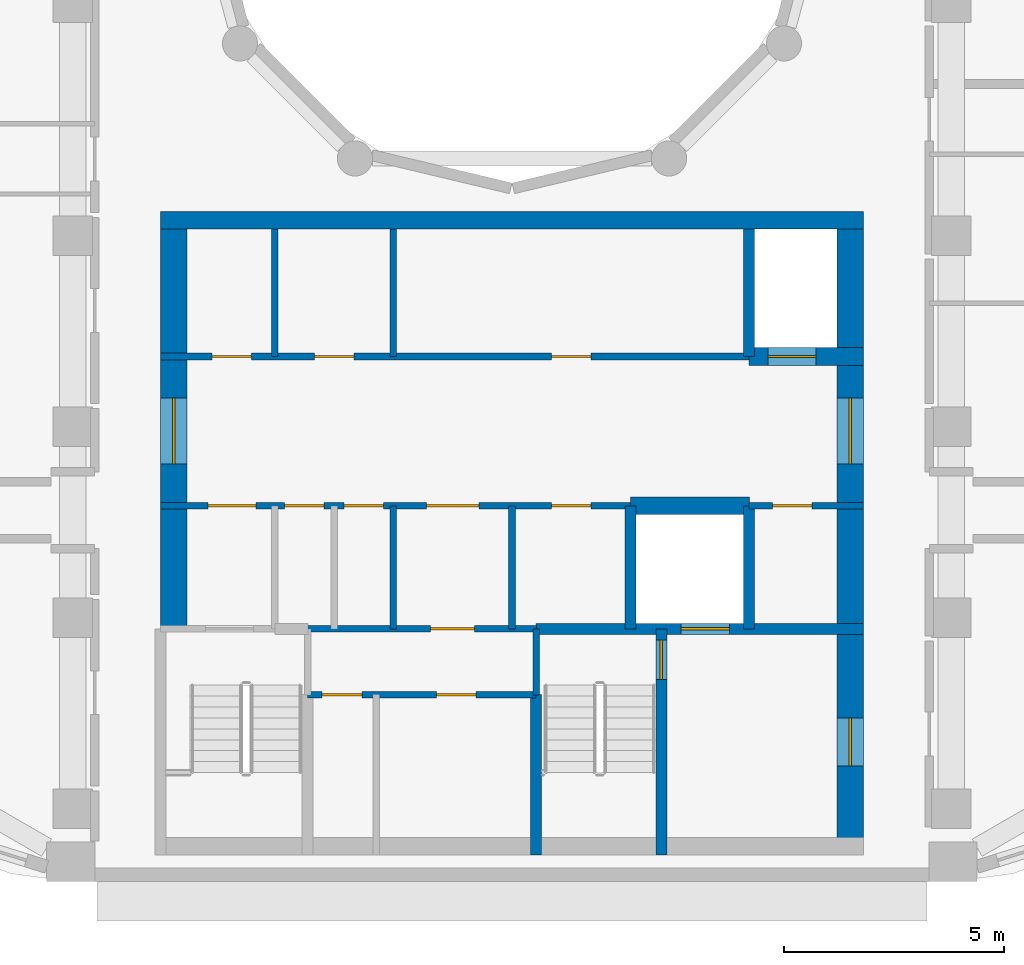
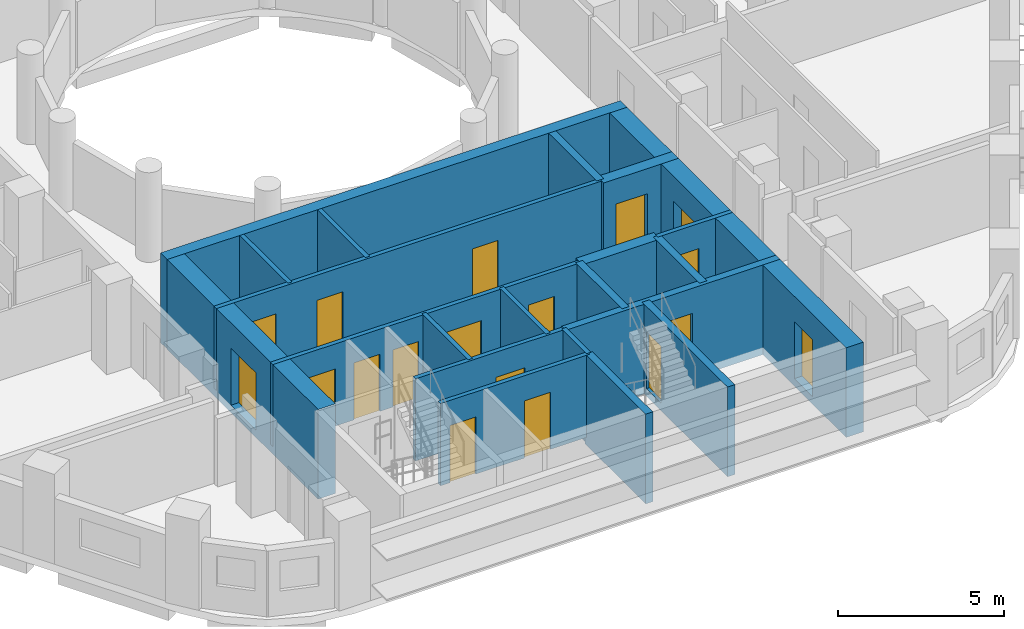
# One storey, part 3 of 14: 21 walls, 18 doors, 18 openings.
"""IFC4 building model written with IfcOpenShell, lengths in metres."""

from ifc_helpers import new_model, si_unit, direction, frame, frame_2d, origin, place, context, subcontext, project, spatial, rectangle, extrude, material, layer, layer_set, type_object, element, fill, save


model = new_model("IFC4")

# Units and contexts
model_context = context("Model", 3, precision=1e-05, world=origin(), true_north=direction((0.0, 1.0)))
body_context = subcontext(model_context, "Body", "Model", "MODEL_VIEW")
ifc_project = project(units=[si_unit("LENGTHUNIT", "METRE"), si_unit("AREAUNIT", "SQUARE_METRE"), si_unit("VOLUMEUNIT", "CUBIC_METRE"), si_unit("PLANEANGLEUNIT", "RADIAN"), si_unit("MASSUNIT", "GRAM", prefix="KILO")], contexts=[model_context])

# Site, building, storey
site_placement = place(None, origin())
site = spatial("IfcSite", under=ifc_project, at=site_placement, CompositionType="ELEMENT")
building_placement = place(site_placement, origin())
building = spatial("IfcBuilding", under=site, at=building_placement, Name="Nakaniwa Court", CompositionType="ELEMENT")
storey_placement = place(building_placement, frame((0.0, 0.0, 265.800048828125)))
storey = spatial("IfcBuildingStorey", under=building, at=storey_placement, Name="L70", CompositionType="ELEMENT", Elevation=265.800048828125)

# Wall
ifc_material_1 = material(Name="Blockwork partition", Category="masonry")
ifc_layer_1 = layer(ifc_material_1, 0.14990234375)
ifc_layer_set_1 = layer_set([ifc_layer_1], Name="Blockwork partition")
wall_type_1 = type_object("IfcWallType", Name="Blockwork partition 150", PredefinedType="PARTITIONING", material=ifc_layer_set_1)
wall_1_placement = place(storey_placement, frame((74.60009765625, 69.300048828125, 0.0), z_axis=(0.0, 0.0, 1.0), x_axis=(0.0, 1.0, 0.0)))
element("IfcWall", 1, at=wall_1_placement, inside=storey, type_object=wall_type_1, Name="Partition PW-030", PredefinedType="PARTITIONING", context=body_context, shape_type="SweptSolid", body=[
    extrude(rectangle(XDim=2.89990234375, YDim=0.14990234375, at=frame_2d((1.449951171875, 0.0))), origin(), (0.0, 0.0, 1.0), 3.02490234375),
])

# Wall, openings, doors
wall_2_placement = place(storey_placement, frame((72.0, 69.300048828125, 0.0), z_axis=(0.0, 0.0, 1.0), x_axis=(1.0, 0.0, 0.0)))
wall_2 = element("IfcWall", 2, at=wall_2_placement, inside=storey, type_object=wall_type_1, Name="Partition PW-031", PredefinedType="PARTITIONING", context=body_context, shape_type="SweptSolid", body=[
    extrude(rectangle(XDim=13.39990234375, YDim=0.14990234375, at=frame_2d((6.699951171875, 0.0))), origin(), (0.0, 0.0, 1.0), 3.02490234375),
])
opening_1_placement = place(wall_2_placement, frame((1.175048828125, 0.0, 0.0)))
opening_1 = element("IfcOpeningElement", 3, at=opening_1_placement, cuts=wall_2, Name="Opening D-05-10", PredefinedType="OPENING", context=body_context, shape_type="SweptSolid", body=[
    extrude(rectangle(XDim=0.89990234375, YDim=2.10009765625, at=frame_2d((0.449951171875, 1.050048828125))), frame((0.0, 0.0849609375, 0.0), z_axis=(0.0, -1.0, 0.0), x_axis=(1.0, 0.0, 0.0)), (0.0, 0.0, 1.0), 0.169921875),
])
opening_2_placement = place(wall_2_placement, frame((3.5, 0.0, 0.0)))
opening_2 = element("IfcOpeningElement", 4, at=opening_2_placement, cuts=wall_2, Name="Opening D-05-11", PredefinedType="OPENING", context=body_context, shape_type="SweptSolid", body=[
    extrude(rectangle(XDim=0.89990234375, YDim=2.10009765625, at=frame_2d((0.449951171875, 1.050048828125))), frame((0.0, 0.0849609375, 0.0), z_axis=(0.0, -1.0, 0.0), x_axis=(1.0, 0.0, 0.0)), (0.0, 0.0, 1.0), 0.169921875),
])
opening_3_placement = place(wall_2_placement, frame((8.89990234375, 0.0, 0.0)))
opening_3 = element("IfcOpeningElement", 5, at=opening_3_placement, cuts=wall_2, Name="Opening D-05-12", PredefinedType="OPENING", context=body_context, shape_type="SweptSolid", body=[
    extrude(rectangle(XDim=0.89990234375, YDim=2.10009765625, at=frame_2d((0.449951171875, 1.050048828125))), frame((0.0, 0.0849609375, 0.0), z_axis=(0.0, -1.0, 0.0), x_axis=(1.0, 0.0, 0.0)), (0.0, 0.0, 1.0), 0.169921875),
])
ifc_material_2 = material(Name="Fire rated steel door set", Category="steel")
door_type_1 = type_object("IfcDoorType", Name="Service room door 900", OperationType="NOTDEFINED", PredefinedType="DOOR", material=ifc_material_2)
door_1_placement = place(opening_1_placement, origin())
door_1 = element("IfcDoor", 6, at=door_1_placement, inside=storey, type_object=door_type_1, Name="Door D-05-10 L70-015", OperationType="SINGLE_SWING_RIGHT", OverallHeight=2.10009765625, OverallWidth=0.89990234375, PredefinedType="DOOR", context=body_context, shape_type="SweptSolid", body=[
    extrude(rectangle(XDim=0.89990234375, YDim=2.10009765625, at=frame_2d((0.449951171875, 1.050048828125))), frame((0.0, 0.02490234375, 0.0), z_axis=(0.0, -1.0, 0.0), x_axis=(1.0, 0.0, 0.0)), (0.0, 0.0, 1.0), 0.050048828125),
])
fill(opening_1, door_1)
door_2_placement = place(opening_2_placement, origin())
door_2 = element("IfcDoor", 7, at=door_2_placement, inside=storey, type_object=door_type_1, Name="Door D-05-11 L70-016", OperationType="SINGLE_SWING_LEFT", OverallHeight=2.10009765625, OverallWidth=0.89990234375, PredefinedType="DOOR", context=body_context, shape_type="SweptSolid", body=[
    extrude(rectangle(XDim=0.89990234375, YDim=2.10009765625, at=frame_2d((0.449951171875, 1.050048828125))), frame((0.0, 0.02490234375, 0.0), z_axis=(0.0, -1.0, 0.0), x_axis=(1.0, 0.0, 0.0)), (0.0, 0.0, 1.0), 0.050048828125),
])
fill(opening_2, door_2)
door_3_placement = place(opening_3_placement, origin())
door_3 = element("IfcDoor", 8, at=door_3_placement, inside=storey, type_object=door_type_1, Name="Door D-05-12 L70-017", OperationType="SINGLE_SWING_RIGHT", OverallHeight=2.10009765625, OverallWidth=0.89990234375, PredefinedType="DOOR", context=body_context, shape_type="SweptSolid", body=[
    extrude(rectangle(XDim=0.89990234375, YDim=2.10009765625, at=frame_2d((0.449951171875, 1.050048828125))), frame((0.0, 0.02490234375, 0.0), z_axis=(0.0, -1.0, 0.0), x_axis=(1.0, 0.0, 0.0)), (0.0, 0.0, 1.0), 0.050048828125),
])
fill(opening_3, door_3)

# Walls
wall_3_placement = place(storey_placement, frame((77.300048828125, 63.10009765625, 0.0), z_axis=(0.0, 0.0, 1.0), x_axis=(0.0, 1.0, 0.0)))
element("IfcWall", 9, at=wall_3_placement, inside=storey, type_object=wall_type_1, Name="Partition PW-037", PredefinedType="PARTITIONING", context=body_context, shape_type="SweptSolid", body=[
    extrude(rectangle(XDim=2.7998046875, YDim=0.14990234375, at=frame_2d((1.39990234375, 0.0))), origin(), (0.0, 0.0, 1.0), 3.02490234375),
])
wall_4_placement = place(storey_placement, frame((77.300048828125, 69.300048828125, 0.0), z_axis=(0.0, 0.0, 1.0), x_axis=(0.0, 1.0, 0.0)))
element("IfcWall", 10, at=wall_4_placement, inside=storey, type_object=wall_type_1, Name="Partition PW-038", PredefinedType="PARTITIONING", context=body_context, shape_type="SweptSolid", body=[
    extrude(rectangle(XDim=2.89990234375, YDim=0.14990234375, at=frame_2d((1.449951171875, 0.0))), origin(), (0.0, 0.0, 1.0), 3.02490234375),
])

# Wall, openings, doors
wall_5_placement = place(storey_placement, frame((82.702880859375, 65.89990234375, 0.0), z_axis=(0.0, 0.0, 1.0), x_axis=(-1.0, 0.0, 0.0)))
wall_5 = element("IfcWall", 11, at=wall_5_placement, inside=storey, type_object=wall_type_1, Name="Partition PW-039", PredefinedType="PARTITIONING", context=body_context, shape_type="SweptSolid", body=[
    extrude(rectangle(XDim=10.702880859375, YDim=0.14990234375, at=frame_2d((5.3515625, 0.0))), origin(), (0.0, 0.0, 1.0), 3.02490234375),
])
opening_4_placement = place(wall_5_placement, frame((8.528076171875, 0.0, 0.0)))
opening_4 = element("IfcOpeningElement", 12, at=opening_4_placement, cuts=wall_5, Name="Opening D-08-02", PredefinedType="OPENING", context=body_context, shape_type="SweptSolid", body=[
    extrude(rectangle(XDim=1.10009765625, YDim=2.10009765625, at=frame_2d((0.550048828125, 1.050048828125))), frame((0.0, 0.0849609375, 0.0), z_axis=(0.0, -1.0, 0.0), x_axis=(1.0, 0.0, 0.0)), (0.0, 0.0, 1.0), 0.169921875),
])
opening_5_placement = place(wall_5_placement, frame((6.97802734375, 0.0, 0.0)))
opening_5 = element("IfcOpeningElement", 13, at=opening_5_placement, cuts=wall_5, Name="Opening D-05-13", PredefinedType="OPENING", context=body_context, shape_type="SweptSolid", body=[
    extrude(rectangle(XDim=0.89990234375, YDim=2.10009765625, at=frame_2d((0.449951171875, 1.050048828125))), frame((0.0, 0.0849609375, 0.0), z_axis=(0.0, -1.0, 0.0), x_axis=(1.0, 0.0, 0.0)), (0.0, 0.0, 1.0), 0.169921875),
])
opening_6_placement = place(wall_5_placement, frame((5.6279296875, 0.0, 0.0)))
opening_6 = element("IfcOpeningElement", 14, at=opening_6_placement, cuts=wall_5, Name="Opening D-05-14", PredefinedType="OPENING", context=body_context, shape_type="SweptSolid", body=[
    extrude(rectangle(XDim=0.89990234375, YDim=2.10009765625, at=frame_2d((0.449951171875, 1.050048828125))), frame((0.0, 0.0849609375, 0.0), z_axis=(0.0, -1.0, 0.0), x_axis=(1.0, 0.0, 0.0)), (0.0, 0.0, 1.0), 0.169921875),
])
opening_7_placement = place(wall_5_placement, frame((3.452880859375, 0.0, 0.0)))
opening_7 = element("IfcOpeningElement", 15, at=opening_7_placement, cuts=wall_5, Name="Opening D-06-02", PredefinedType="OPENING", context=body_context, shape_type="SweptSolid", body=[
    extrude(rectangle(XDim=1.199951171875, YDim=2.10009765625, at=frame_2d((0.60009765625, 1.050048828125))), frame((0.0, 0.0849609375, 0.0), z_axis=(0.0, -1.0, 0.0), x_axis=(1.0, 0.0, 0.0)), (0.0, 0.0, 1.0), 0.169921875),
])
opening_8_placement = place(wall_5_placement, frame((0.903076171875, 0.0, 0.0)))
opening_8 = element("IfcOpeningElement", 16, at=opening_8_placement, cuts=wall_5, Name="Opening D-05-15", PredefinedType="OPENING", context=body_context, shape_type="SweptSolid", body=[
    extrude(rectangle(XDim=0.89990234375, YDim=2.10009765625, at=frame_2d((0.449951171875, 1.050048828125))), frame((0.0, 0.0849609375, 0.0), z_axis=(0.0, -1.0, 0.0), x_axis=(1.0, 0.0, 0.0)), (0.0, 0.0, 1.0), 0.169921875),
])
ifc_material_3 = material(Name="Fire rated steel double door set", Category="steel")
door_type_2 = type_object("IfcDoorType", Name="Service passage double door 1200", OperationType="NOTDEFINED", PredefinedType="DOOR", material=ifc_material_3)
door_4_placement = place(opening_7_placement, origin())
door_4 = element("IfcDoor", 17, at=door_4_placement, inside=storey, type_object=door_type_2, Name="Door D-06-02 L70-021", OperationType="DOUBLE_DOOR_SINGLE_SWING", OverallHeight=2.10009765625, OverallWidth=1.199951171875, PredefinedType="DOOR", context=body_context, shape_type="SweptSolid", body=[
    extrude(rectangle(XDim=1.199951171875, YDim=2.10009765625, at=frame_2d((0.60009765625, 1.050048828125))), frame((0.0, 0.02490234375, 0.0), z_axis=(0.0, -1.0, 0.0), x_axis=(1.0, 0.0, 0.0)), (0.0, 0.0, 1.0), 0.050048828125),
])
fill(opening_7, door_4)
door_5_placement = place(opening_5_placement, origin())
door_5 = element("IfcDoor", 18, at=door_5_placement, inside=storey, type_object=door_type_1, Name="Door D-05-13 L70-019", OperationType="SINGLE_SWING_RIGHT", OverallHeight=2.10009765625, OverallWidth=0.89990234375, PredefinedType="DOOR", context=body_context, shape_type="SweptSolid", body=[
    extrude(rectangle(XDim=0.89990234375, YDim=2.10009765625, at=frame_2d((0.449951171875, 1.050048828125))), frame((0.0, 0.02490234375, 0.0), z_axis=(0.0, -1.0, 0.0), x_axis=(1.0, 0.0, 0.0)), (0.0, 0.0, 1.0), 0.050048828125),
])
fill(opening_5, door_5)
door_6_placement = place(opening_6_placement, origin())
door_6 = element("IfcDoor", 19, at=door_6_placement, inside=storey, type_object=door_type_1, Name="Door D-05-14 L70-020", OperationType="SINGLE_SWING_LEFT", OverallHeight=2.10009765625, OverallWidth=0.89990234375, PredefinedType="DOOR", context=body_context, shape_type="SweptSolid", body=[
    extrude(rectangle(XDim=0.89990234375, YDim=2.10009765625, at=frame_2d((0.449951171875, 1.050048828125))), frame((0.0, 0.02490234375, 0.0), z_axis=(0.0, -1.0, 0.0), x_axis=(1.0, 0.0, 0.0)), (0.0, 0.0, 1.0), 0.050048828125),
])
fill(opening_6, door_6)
door_7_placement = place(opening_8_placement, origin())
door_7 = element("IfcDoor", 20, at=door_7_placement, inside=storey, type_object=door_type_1, Name="Door D-05-15 L70-022", OperationType="SINGLE_SWING_LEFT", OverallHeight=2.10009765625, OverallWidth=0.89990234375, PredefinedType="DOOR", context=body_context, shape_type="SweptSolid", body=[
    extrude(rectangle(XDim=0.89990234375, YDim=2.10009765625, at=frame_2d((0.449951171875, 1.050048828125))), frame((0.0, 0.02490234375, 0.0), z_axis=(0.0, -1.0, 0.0), x_axis=(1.0, 0.0, 0.0)), (0.0, 0.0, 1.0), 0.050048828125),
])
fill(opening_8, door_7)
door_type_3 = type_object("IfcDoorType", Name="Stair lobby door 1100", OperationType="NOTDEFINED", PredefinedType="DOOR", material=ifc_material_2)
door_8_placement = place(opening_4_placement, origin())
door_8 = element("IfcDoor", 21, at=door_8_placement, inside=storey, type_object=door_type_3, Name="Door D-08-02 L70-018", OperationType="SINGLE_SWING_LEFT", OverallHeight=2.10009765625, OverallWidth=1.10009765625, PredefinedType="DOOR", context=body_context, shape_type="SweptSolid", body=[
    extrude(rectangle(XDim=1.10009765625, YDim=2.10009765625, at=frame_2d((0.550048828125, 1.050048828125))), frame((0.0, 0.02490234375, 0.0), z_axis=(0.0, -1.0, 0.0), x_axis=(1.0, 0.0, 0.0)), (0.0, 0.0, 1.0), 0.050048828125),
])
fill(opening_4, door_8)

# Wall, opening, door
wall_6_placement = place(storey_placement, frame((88.0, 65.89990234375, 0.0), z_axis=(0.0, 0.0, 1.0), x_axis=(-1.0, 0.0, 0.0)))
wall_6 = element("IfcWall", 22, at=wall_6_placement, inside=storey, type_object=wall_type_1, Name="Partition PW-040", PredefinedType="PARTITIONING", context=body_context, shape_type="SweptSolid", body=[
    extrude(rectangle(XDim=2.60302734375, YDim=0.14990234375, at=frame_2d((1.301513671875, 0.0))), origin(), (0.0, 0.0, 1.0), 3.02490234375),
])
opening_9_placement = place(wall_6_placement, frame((1.175048828125, 0.0, 0.0)))
opening_9 = element("IfcOpeningElement", 23, at=opening_9_placement, cuts=wall_6, Name="Opening D-05-16", PredefinedType="OPENING", context=body_context, shape_type="SweptSolid", body=[
    extrude(rectangle(XDim=0.89990234375, YDim=2.10009765625, at=frame_2d((0.449951171875, 1.050048828125))), frame((0.0, 0.0849609375, 0.0), z_axis=(0.0, -1.0, 0.0), x_axis=(1.0, 0.0, 0.0)), (0.0, 0.0, 1.0), 0.169921875),
])
door_9_placement = place(opening_9_placement, origin())
door_9 = element("IfcDoor", 24, at=door_9_placement, inside=storey, type_object=door_type_1, Name="Door D-05-16 L70-023", OperationType="SINGLE_SWING_RIGHT", OverallHeight=2.10009765625, OverallWidth=0.89990234375, PredefinedType="DOOR", context=body_context, shape_type="SweptSolid", body=[
    extrude(rectangle(XDim=0.89990234375, YDim=2.10009765625, at=frame_2d((0.449951171875, 1.050048828125))), frame((0.0, 0.02490234375, 0.0), z_axis=(0.0, -1.0, 0.0), x_axis=(1.0, 0.0, 0.0)), (0.0, 0.0, 1.0), 0.050048828125),
])
fill(opening_9, door_9)

wall_7_placement = place(storey_placement, frame((80.552978515625, 63.10009765625, 0.0), z_axis=(0.0, 0.0, 1.0), x_axis=(-1.0, 0.0, 0.0)))
wall_7 = element("IfcWall", 25, at=wall_7_placement, inside=storey, type_object=wall_type_1, Name="Partition PW-046", PredefinedType="PARTITIONING", context=body_context, shape_type="SweptSolid", body=[
    extrude(rectangle(XDim=5.2060546875, YDim=0.14990234375, at=frame_2d((2.60302734375, 0.0))), origin(), (0.0, 0.0, 1.0), 3.02490234375),
])
opening_10_placement = place(wall_7_placement, frame((1.403076171875, 0.0, 0.0)))
opening_10 = element("IfcOpeningElement", 26, at=opening_10_placement, cuts=wall_7, Name="Opening D-23-02", PredefinedType="OPENING", context=body_context, shape_type="SweptSolid", body=[
    extrude(rectangle(XDim=1.0, YDim=2.10009765625, at=frame_2d((0.5, 1.050048828125))), frame((0.0, 0.0849609375, 0.0), z_axis=(0.0, -1.0, 0.0), x_axis=(1.0, 0.0, 0.0)), (0.0, 0.0, 1.0), 0.169921875),
])
door_type_4 = type_object("IfcDoorType", Name="Service room door 1000", OperationType="NOTDEFINED", PredefinedType="DOOR", material=ifc_material_2)
door_10_placement = place(opening_10_placement, origin())
door_10 = element("IfcDoor", 27, at=door_10_placement, inside=storey, type_object=door_type_4, Name="Door D-23-02 L70-024", OperationType="SINGLE_SWING_LEFT", OverallHeight=2.10009765625, OverallWidth=1.0, PredefinedType="DOOR", context=body_context, shape_type="SweptSolid", body=[
    extrude(rectangle(XDim=1.0, YDim=2.10009765625, at=frame_2d((0.5, 1.050048828125))), frame((0.0, 0.02490234375, 0.0), z_axis=(0.0, -1.0, 0.0), x_axis=(1.0, 0.0, 0.0)), (0.0, 0.0, 1.0), 0.050048828125),
])
fill(opening_10, door_10)

# Wall
wall_8_placement = place(storey_placement, frame((80.0, 63.10009765625, 0.0), z_axis=(0.0, 0.0, 1.0), x_axis=(0.0, 1.0, 0.0)))
element("IfcWall", 28, at=wall_8_placement, inside=storey, type_object=wall_type_1, Name="Partition PW-047", PredefinedType="PARTITIONING", context=body_context, shape_type="SweptSolid", body=[
    extrude(rectangle(XDim=2.7998046875, YDim=0.14990234375, at=frame_2d((1.39990234375, 0.0))), origin(), (0.0, 0.0, 1.0), 3.02490234375),
])

# Wall, openings, doors
wall_9_placement = place(storey_placement, frame((80.550048828125, 61.60009765625, 0.0), z_axis=(0.0, 0.0, 1.0), x_axis=(-1.0, 0.0, 0.0)))
wall_9 = element("IfcWall", 29, at=wall_9_placement, inside=storey, type_object=wall_type_1, Name="Partition PW-055", PredefinedType="PARTITIONING", context=body_context, shape_type="SweptSolid", body=[
    extrude(rectangle(XDim=5.199951171875, YDim=0.14990234375, at=frame_2d((2.60009765625, 0.0))), origin(), (0.0, 0.0, 1.0), 3.02490234375),
])
opening_11_placement = place(wall_9_placement, frame((3.969970703125, 0.0, 0.0)))
opening_11 = element("IfcOpeningElement", 30, at=opening_11_placement, cuts=wall_9, Name="Opening D-05-17", PredefinedType="OPENING", context=body_context, shape_type="SweptSolid", body=[
    extrude(rectangle(XDim=0.89990234375, YDim=2.10009765625, at=frame_2d((0.449951171875, 1.050048828125))), frame((0.0, 0.0849609375, 0.0), z_axis=(0.0, -1.0, 0.0), x_axis=(1.0, 0.0, 0.0)), (0.0, 0.0, 1.0), 0.169921875),
])
opening_12_placement = place(wall_9_placement, frame((1.3701171875, 0.0, 0.0)))
opening_12 = element("IfcOpeningElement", 31, at=opening_12_placement, cuts=wall_9, Name="Opening D-05-18", PredefinedType="OPENING", context=body_context, shape_type="SweptSolid", body=[
    extrude(rectangle(XDim=0.89990234375, YDim=2.10009765625, at=frame_2d((0.449951171875, 1.050048828125))), frame((0.0, 0.0849609375, 0.0), z_axis=(0.0, -1.0, 0.0), x_axis=(1.0, 0.0, 0.0)), (0.0, 0.0, 1.0), 0.169921875),
])
door_11_placement = place(opening_11_placement, origin())
door_11 = element("IfcDoor", 32, at=door_11_placement, inside=storey, type_object=door_type_1, Name="Door D-05-17 L70-025", OperationType="SINGLE_SWING_RIGHT", OverallHeight=2.10009765625, OverallWidth=0.89990234375, PredefinedType="DOOR", context=body_context, shape_type="SweptSolid", body=[
    extrude(rectangle(XDim=0.89990234375, YDim=2.10009765625, at=frame_2d((0.449951171875, 1.050048828125))), frame((0.0, 0.02490234375, 0.0), z_axis=(0.0, -1.0, 0.0), x_axis=(1.0, 0.0, 0.0)), (0.0, 0.0, 1.0), 0.050048828125),
])
fill(opening_11, door_11)
door_12_placement = place(opening_12_placement, origin())
door_12 = element("IfcDoor", 33, at=door_12_placement, inside=storey, type_object=door_type_1, Name="Door D-05-18 L70-026", OperationType="SINGLE_SWING_LEFT", OverallHeight=2.10009765625, OverallWidth=0.89990234375, PredefinedType="DOOR", context=body_context, shape_type="SweptSolid", body=[
    extrude(rectangle(XDim=0.89990234375, YDim=2.10009765625, at=frame_2d((0.449951171875, 1.050048828125))), frame((0.0, 0.02490234375, 0.0), z_axis=(0.0, -1.0, 0.0), x_axis=(1.0, 0.0, 0.0)), (0.0, 0.0, 1.0), 0.050048828125),
])
fill(opening_12, door_12)

# Wall, opening, door
ifc_material_4 = material(Name="Concrete C80/100", Category="concrete")
ifc_layer_2 = layer(ifc_material_4, 0.60009765625)
ifc_layer_set_2 = layer_set([ifc_layer_2], Name="Concrete C80/100")
wall_type_2 = type_object("IfcWallType", Name="Concrete core side wall 600 C80", PredefinedType="SHEAR", material=ifc_layer_set_2)
wall_10_placement = place(storey_placement, frame((72.300048828125, 63.10009765625, -0.275146484375), z_axis=(0.0, 0.0, 1.0), x_axis=(0.0, 1.0, 0.0)))
wall_10 = element("IfcWall", 34, at=wall_10_placement, inside=storey, type_object=wall_type_2, Name="Core wall SW-32", PredefinedType="SHEAR", context=body_context, shape_type="SweptSolid", body=[
    extrude(rectangle(XDim=9.099853515625, YDim=0.60009765625, at=frame_2d((4.5498046875, 0.0))), origin(), (0.0, 0.0, 1.0), 3.300048828125),
])
opening_13_placement = place(wall_10_placement, frame((3.75, 0.0, 0.27490234375)))
opening_13 = element("IfcOpeningElement", 35, at=opening_13_placement, cuts=wall_10, Name="Opening D-07-04", PredefinedType="OPENING", context=body_context, shape_type="SweptSolid", body=[
    extrude(rectangle(XDim=1.5, YDim=2.10009765625, at=frame_2d((0.75, 1.050048828125))), frame((0.0, 0.31005859375, 0.0), z_axis=(0.0, -1.0, 0.0), x_axis=(1.0, 0.0, 0.0)), (0.0, 0.0, 1.0), 0.6201171875),
])
ifc_material_5 = material(Name="Glazed fire rated steel double door set", Category="steel")
door_type_5 = type_object("IfcDoorType", Name="Lobby double door 1500", OperationType="NOTDEFINED", PredefinedType="DOOR", material=ifc_material_5)
door_13_placement = place(opening_13_placement, origin())
door_13 = element("IfcDoor", 36, at=door_13_placement, inside=storey, type_object=door_type_5, Name="Door D-07-04 L70-063", OperationType="DOUBLE_DOOR_SINGLE_SWING", OverallHeight=2.10009765625, OverallWidth=1.5, PredefinedType="DOOR", context=body_context, shape_type="SweptSolid", body=[
    extrude(rectangle(XDim=1.5, YDim=2.10009765625, at=frame_2d((0.75, 1.050048828125))), frame((0.0, 0.02490234375, 0.0), z_axis=(0.0, -1.0, 0.0), x_axis=(1.0, 0.0, 0.0)), (0.0, 0.0, 1.0), 0.050048828125),
])
fill(opening_13, door_13)

# Wall, openings, doors
wall_11_placement = place(storey_placement, frame((87.699951171875, 72.199951171875, -0.275146484375), z_axis=(0.0, 0.0, 1.0), x_axis=(0.0, -1.0, 0.0)))
wall_11 = element("IfcWall", 37, at=wall_11_placement, inside=storey, type_object=wall_type_2, Name="Core wall SW-36", PredefinedType="SHEAR", context=body_context, shape_type="SweptSolid", body=[
    extrude(rectangle(XDim=14.25, YDim=0.60009765625, at=frame_2d((7.125, 0.0))), origin(), (0.0, 0.0, 1.0), 3.300048828125),
])
opening_14_placement = place(wall_11_placement, frame((3.85009765625, 0.0, 0.27490234375)))
opening_14 = element("IfcOpeningElement", 38, at=opening_14_placement, cuts=wall_11, Name="Opening D-07-03", PredefinedType="OPENING", context=body_context, shape_type="SweptSolid", body=[
    extrude(rectangle(XDim=1.5, YDim=2.10009765625, at=frame_2d((0.75, 1.050048828125))), frame((0.0, 0.31005859375, 0.0), z_axis=(0.0, -1.0, 0.0), x_axis=(1.0, 0.0, 0.0)), (0.0, 0.0, 1.0), 0.6201171875),
])
opening_15_placement = place(wall_11_placement, frame((11.125, 0.0, 0.27490234375)))
opening_15 = element("IfcOpeningElement", 39, at=opening_15_placement, cuts=wall_11, Name="Opening D-10-02", PredefinedType="OPENING", context=body_context, shape_type="SweptSolid", body=[
    extrude(rectangle(XDim=1.10009765625, YDim=2.10009765625, at=frame_2d((0.550048828125, 1.050048828125))), frame((0.0, 0.31005859375, 0.0), z_axis=(0.0, -1.0, 0.0), x_axis=(1.0, 0.0, 0.0)), (0.0, 0.0, 1.0), 0.6201171875),
])
door_type_6 = type_object("IfcDoorType", Name="Firefighting lobby door 1100", OperationType="NOTDEFINED", PredefinedType="DOOR", material=ifc_material_2)
door_14_placement = place(opening_15_placement, origin())
door_14 = element("IfcDoor", 40, at=door_14_placement, inside=storey, type_object=door_type_6, Name="Door D-10-02 L70-064", OperationType="SINGLE_SWING_LEFT", OverallHeight=2.10009765625, OverallWidth=1.10009765625, PredefinedType="DOOR", context=body_context, shape_type="SweptSolid", body=[
    extrude(rectangle(XDim=1.10009765625, YDim=2.10009765625, at=frame_2d((0.550048828125, 1.050048828125))), frame((0.0, 0.02490234375, 0.0), z_axis=(0.0, -1.0, 0.0), x_axis=(1.0, 0.0, 0.0)), (0.0, 0.0, 1.0), 0.050048828125),
])
fill(opening_15, door_14)
door_15_placement = place(opening_14_placement, origin())
door_15 = element("IfcDoor", 41, at=door_15_placement, inside=storey, type_object=door_type_5, Name="Door D-07-03 L70-062", OperationType="DOUBLE_DOOR_SINGLE_SWING", OverallHeight=2.10009765625, OverallWidth=1.5, PredefinedType="DOOR", context=body_context, shape_type="SweptSolid", body=[
    extrude(rectangle(XDim=1.5, YDim=2.10009765625, at=frame_2d((0.75, 1.050048828125))), frame((0.0, 0.02490234375, 0.0), z_axis=(0.0, -1.0, 0.0), x_axis=(1.0, 0.0, 0.0)), (0.0, 0.0, 1.0), 0.050048828125),
])
fill(opening_14, door_15)

# Wall, opening, door
ifc_layer_3 = layer(ifc_material_4, 0.39990234375)
ifc_layer_set_3 = layer_set([ifc_layer_3], Name="Concrete C80/100")
wall_type_3 = type_object("IfcWallType", Name="Concrete core spine wall 400 C80", PredefinedType="SHEAR", material=ifc_layer_set_3)
wall_12_placement = place(storey_placement, frame((85.39990234375, 69.300048828125, -0.275146484375), z_axis=(0.0, 0.0, 1.0), x_axis=(1.0, 0.0, 0.0)))
wall_12 = element("IfcWall", 42, at=wall_12_placement, inside=storey, type_object=wall_type_3, Name="Core wall SW-35", PredefinedType="SHEAR", context=body_context, shape_type="SweptSolid", body=[
    extrude(rectangle(XDim=2.60009765625, YDim=0.39990234375, at=frame_2d((1.300048828125, 0.0))), origin(), (0.0, 0.0, 1.0), 3.300048828125),
])
opening_16_placement = place(wall_12_placement, frame((0.425048828125, 0.0, 0.27490234375)))
opening_16 = element("IfcOpeningElement", 43, at=opening_16_placement, cuts=wall_12, Name="Opening LD03", PredefinedType="OPENING", context=body_context, shape_type="SweptSolid", body=[
    extrude(rectangle(XDim=1.10009765625, YDim=2.10009765625, at=frame_2d((0.550048828125, 1.050048828125))), frame((0.0, 0.2099609375, 0.0), z_axis=(0.0, -1.0, 0.0), x_axis=(1.0, 0.0, 0.0)), (0.0, 0.0, 1.0), 0.419921875),
])
ifc_material_6 = material(Name="Stainless steel sliding lift landing door", Category="steel")
door_type_7 = type_object("IfcDoorType", Name="Lift landing door 1100", OperationType="NOTDEFINED", PredefinedType="DOOR", material=ifc_material_6)
door_16_placement = place(opening_16_placement, origin())
door_16 = element("IfcDoor", 44, at=door_16_placement, inside=storey, type_object=door_type_7, Name="Lift landing door LD03 L70-003", OperationType="SLIDING_TO_LEFT", OverallHeight=2.10009765625, OverallWidth=1.10009765625, PredefinedType="DOOR", context=body_context, shape_type="SweptSolid", body=[
    extrude(rectangle(XDim=1.10009765625, YDim=2.10009765625, at=frame_2d((0.550048828125, 1.050048828125))), frame((0.0, 0.02490234375, 0.0), z_axis=(0.0, -1.0, 0.0), x_axis=(1.0, 0.0, 0.0)), (0.0, 0.0, 1.0), 0.050048828125),
])
fill(opening_16, door_16)

# Walls
wall_13_placement = place(storey_placement, frame((82.697021484375, 65.89990234375, -0.275146484375), z_axis=(0.0, 0.0, 1.0), x_axis=(1.0, 0.0, 0.0)))
element("IfcWall", 45, at=wall_13_placement, inside=storey, type_object=wall_type_3, Name="Core wall SW-41", PredefinedType="SHEAR", context=body_context, shape_type="SweptSolid", body=[
    extrude(rectangle(XDim=2.7060546875, YDim=0.39990234375, at=frame_2d((1.35302734375, 0.0))), origin(), (0.0, 0.0, 1.0), 3.300048828125),
])
ifc_layer_4 = layer(ifc_material_4, 0.14990234375)
ifc_layer_set_4 = layer_set([ifc_layer_4], Name="Concrete C80/100")
wall_type_4 = type_object("IfcWallType", Name="Concrete core wall 150 C80", PredefinedType="SHEAR", material=ifc_layer_set_4)
wall_14_placement = place(storey_placement, frame((80.550048828125, 61.596923828125, -0.275146484375), z_axis=(0.0, 0.0, 1.0), x_axis=(0.0, 1.0, 0.0)))
element("IfcWall", 46, at=wall_14_placement, inside=storey, type_object=wall_type_4, Name="Core wall SW-53", PredefinedType="SHEAR", context=body_context, shape_type="SweptSolid", body=[
    extrude(rectangle(XDim=1.503173828125, YDim=0.14990234375, at=frame_2d((0.75146484375, 0.0))), origin(), (0.0, 0.0, 1.0), 3.300048828125),
])
ifc_layer_5 = layer(ifc_material_4, 0.39990234375)
ifc_layer_set_5 = layer_set([ifc_layer_5], Name="Concrete C80/100")
wall_type_5 = type_object("IfcWallType", Name="Concrete core well wall 400 C80", PredefinedType="SHEAR", material=ifc_layer_set_5)
wall_15_placement = place(storey_placement, frame((72.00390625, 72.39990234375, -0.275146484375), z_axis=(0.0, 0.0, 1.0), x_axis=(1.0, 0.0, 0.0)))
element("IfcWall", 47, at=wall_15_placement, inside=storey, type_object=wall_type_5, Name="Core wall SW-128", PredefinedType="SHEAR", context=body_context, shape_type="SweptSolid", body=[
    extrude(rectangle(XDim=15.9921875, YDim=0.39990234375, at=frame_2d((7.99609375, 0.0))), origin(), (0.0, 0.0, 1.0), 3.300048828125),
])
ifc_layer_6 = layer(ifc_material_4, 0.25)
ifc_layer_set_6 = layer_set([ifc_layer_6], Name="Concrete C80/100")
wall_type_6 = type_object("IfcWallType", Name="Concrete shaft wall 250 C80", PredefinedType="SHEAR", material=ifc_layer_set_6)
wall_16_placement = place(storey_placement, frame((85.39990234375, 63.10009765625, -0.275146484375), z_axis=(0.0, 0.0, 1.0), x_axis=(0.0, 1.0, 0.0)))
element("IfcWall", 48, at=wall_16_placement, inside=storey, type_object=wall_type_6, Name="Core wall SW-33", PredefinedType="SHEAR", context=body_context, shape_type="SweptSolid", body=[
    extrude(rectangle(XDim=2.7998046875, YDim=0.25, at=frame_2d((1.39990234375, 0.0))), origin(), (0.0, 0.0, 1.0), 3.300048828125),
])
wall_17_placement = place(storey_placement, frame((85.39990234375, 69.300048828125, -0.275146484375), z_axis=(0.0, 0.0, 1.0), x_axis=(0.0, 1.0, 0.0)))
element("IfcWall", 49, at=wall_17_placement, inside=storey, type_object=wall_type_6, Name="Core wall SW-34", PredefinedType="SHEAR", context=body_context, shape_type="SweptSolid", body=[
    extrude(rectangle(XDim=2.89990234375, YDim=0.25, at=frame_2d((1.449951171875, 0.0))), origin(), (0.0, 0.0, 1.0), 3.300048828125),
])

# Wall, opening, door
wall_18_placement = place(storey_placement, frame((80.547119140625, 63.10009765625, -0.275146484375), z_axis=(0.0, 0.0, 1.0), x_axis=(1.0, 0.0, 0.0)))
wall_18 = element("IfcWall", 50, at=wall_18_placement, inside=storey, type_object=wall_type_6, Name="Core wall SW-45", PredefinedType="SHEAR", context=body_context, shape_type="SweptSolid", body=[
    extrude(rectangle(XDim=7.452880859375, YDim=0.25, at=frame_2d((3.7265625, 0.0))), origin(), (0.0, 0.0, 1.0), 3.300048828125),
])
opening_17_placement = place(wall_18_placement, frame((3.302001953125, 0.0, 0.27490234375)))
opening_17 = element("IfcOpeningElement", 51, at=opening_17_placement, cuts=wall_18, Name="Opening LD04", PredefinedType="OPENING", context=body_context, shape_type="SweptSolid", body=[
    extrude(rectangle(XDim=1.10009765625, YDim=2.10009765625, at=frame_2d((0.550048828125, 1.050048828125))), frame((0.0, 0.135009765625, 0.0), z_axis=(0.0, -1.0, 0.0), x_axis=(1.0, 0.0, 0.0)), (0.0, 0.0, 1.0), 0.27001953125),
])
door_17_placement = place(opening_17_placement, origin())
door_17 = element("IfcDoor", 52, at=door_17_placement, inside=storey, type_object=door_type_7, Name="Lift landing door LD04 L70-004", OperationType="SLIDING_TO_LEFT", OverallHeight=2.10009765625, OverallWidth=1.10009765625, PredefinedType="DOOR", context=body_context, shape_type="SweptSolid", body=[
    extrude(rectangle(XDim=1.10009765625, YDim=2.10009765625, at=frame_2d((0.550048828125, 1.050048828125))), frame((0.0, 0.02490234375, 0.0), z_axis=(0.0, -1.0, 0.0), x_axis=(1.0, 0.0, 0.0)), (0.0, 0.0, 1.0), 0.050048828125),
])
fill(opening_17, door_17)

# Wall
wall_19_placement = place(storey_placement, frame((82.699951171875, 63.10009765625, -0.275146484375), z_axis=(0.0, 0.0, 1.0), x_axis=(0.0, 1.0, 0.0)))
element("IfcWall", 53, at=wall_19_placement, inside=storey, type_object=wall_type_6, Name="Core wall SW-48", PredefinedType="SHEAR", context=body_context, shape_type="SweptSolid", body=[
    extrude(rectangle(XDim=2.7998046875, YDim=0.25, at=frame_2d((1.39990234375, 0.0))), origin(), (0.0, 0.0, 1.0), 3.300048828125),
])

# Wall, opening, door
wall_20_placement = place(storey_placement, frame((83.39990234375, 63.10009765625, -0.275146484375), z_axis=(0.0, 0.0, 1.0), x_axis=(0.0, -1.0, 0.0)))
wall_20 = element("IfcWall", 54, at=wall_20_placement, inside=storey, type_object=wall_type_6, Name="Core wall SW-52", PredefinedType="SHEAR", context=body_context, shape_type="SweptSolid", body=[
    extrude(rectangle(XDim=5.150146484375, YDim=0.25, at=frame_2d((2.5751953125, 0.0))), origin(), (0.0, 0.0, 1.0), 3.300048828125),
])
opening_18_placement = place(wall_20_placement, frame((0.25, 0.0, 0.27490234375)))
opening_18 = element("IfcOpeningElement", 55, at=opening_18_placement, cuts=wall_20, Name="Opening D-11-02", PredefinedType="OPENING", context=body_context, shape_type="SweptSolid", body=[
    extrude(rectangle(XDim=0.89990234375, YDim=2.10009765625, at=frame_2d((0.449951171875, 1.050048828125))), frame((0.0, 0.135009765625, 0.0), z_axis=(0.0, -1.0, 0.0), x_axis=(1.0, 0.0, 0.0)), (0.0, 0.0, 1.0), 0.27001953125),
])
door_type_8 = type_object("IfcDoorType", Name="Stair door 900", OperationType="NOTDEFINED", PredefinedType="DOOR", material=ifc_material_2)
door_18_placement = place(opening_18_placement, origin())
door_18 = element("IfcDoor", 56, at=door_18_placement, inside=storey, type_object=door_type_8, Name="Door D-11-02 L70-028", OperationType="SINGLE_SWING_RIGHT", OverallHeight=2.10009765625, OverallWidth=0.89990234375, PredefinedType="DOOR", context=body_context, shape_type="SweptSolid", body=[
    extrude(rectangle(XDim=0.89990234375, YDim=2.10009765625, at=frame_2d((0.449951171875, 1.050048828125))), frame((0.0, 0.02490234375, 0.0), z_axis=(0.0, -1.0, 0.0), x_axis=(1.0, 0.0, 0.0)), (0.0, 0.0, 1.0), 0.050048828125),
])
fill(opening_18, door_18)

# Wall
wall_21_placement = place(storey_placement, frame((80.550048828125, 57.949951171875, -0.275146484375), z_axis=(0.0, 0.0, 1.0), x_axis=(0.0, 1.0, 0.0)))
element("IfcWall", 57, at=wall_21_placement, inside=storey, type_object=wall_type_6, Name="Core wall SW-54", PredefinedType="SHEAR", context=body_context, shape_type="SweptSolid", body=[
    extrude(rectangle(XDim=3.653076171875, YDim=0.25, at=frame_2d((1.82666015625, 0.0))), origin(), (0.0, 0.0, 1.0), 3.300048828125),
])

save(model, "model.ifc")
